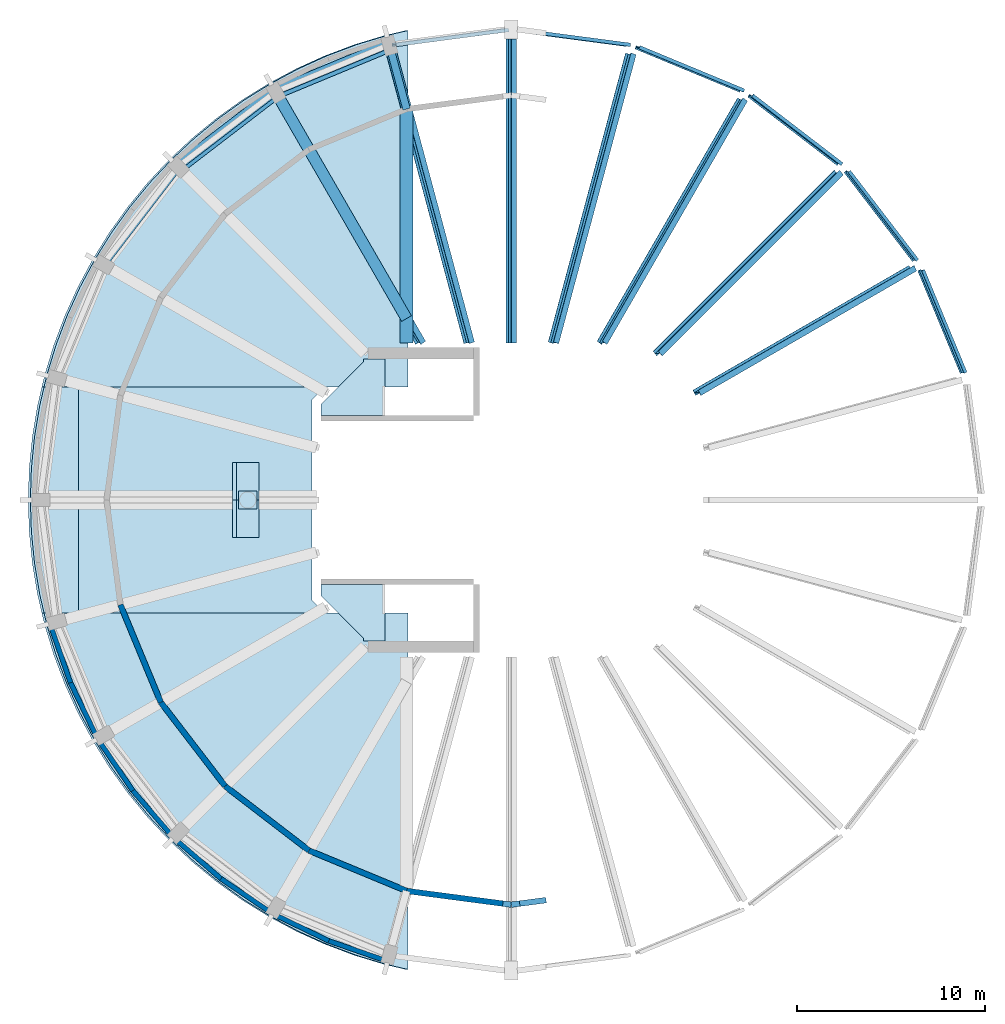
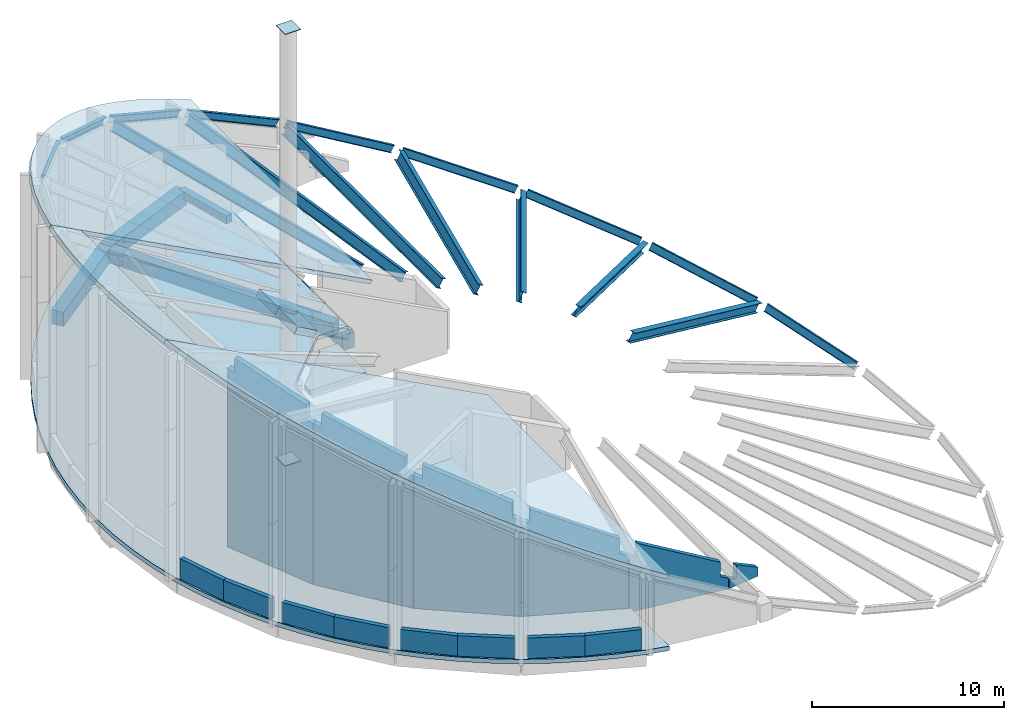
# One storey, part 2 of 4: 14 beams, 14 walls, 8 slabs, 7 members, 2 plates.
"""IFC4 building model written with IfcOpenShell, lengths in metres."""

from ifc_helpers import new_model, si_unit, direction, frame, frame_2d, origin, origin_2d, place, context, subcontext, project, spatial, polyline, rectangle, i_section, outline, extrude, material, layer, layer_set, material_profile, profile_set, type_object, element, save


model = new_model("IFC4")

# Units and contexts
model_context = context("Model", 3, precision=1e-05, world=origin(), true_north=direction((0.0, 1.0)))
body_context = subcontext(model_context, "Body", "Model", "MODEL_VIEW")
ifc_project = project(units=[si_unit("LENGTHUNIT", "METRE"), si_unit("AREAUNIT", "SQUARE_METRE"), si_unit("VOLUMEUNIT", "CUBIC_METRE"), si_unit("PLANEANGLEUNIT", "RADIAN"), si_unit("MASSUNIT", "GRAM", prefix="KILO")], contexts=[model_context])

# Site, building, storey
site_placement = place(None, origin())
site = spatial("IfcSite", under=ifc_project, at=site_placement, CompositionType="ELEMENT")
building_placement = place(site_placement, origin())
building = spatial("IfcBuilding", under=site, at=building_placement, Name="Torre Triforio", CompositionType="ELEMENT")
storey_placement = place(building_placement, frame((0.0, 0.0, 302.800048828125)))
storey = spatial("IfcBuildingStorey", under=building, at=storey_placement, Name="RF-3", CompositionType="ELEMENT", Elevation=302.800048828125)

# Members
ifc_material_1 = material(Name="Steel ASTM A572 Gr 50", Category="steel")
ifc_material_profile_1 = material_profile(ifc_material_1, i_section(OverallWidth=0.324951171875, OverallDepth=0.615966796875, WebThickness=0.013916015625, FlangeThickness=0.021484375, at=origin_2d()), Name="W 610x174")
ifc_profile_set_1 = profile_set([ifc_material_profile_1], Name="Steel ASTM A572 Gr 50")
member_type = type_object("IfcMemberType", Name="Crown rafter W 610x174", PredefinedType="RAFTER", material=ifc_profile_set_1)
member_1_placement = place(storey_placement, frame((9.860595703125, 5.693115234375, -4.289794921875), z_axis=(0.786638993376, 0.454147797785, -0.418268898997), x_axis=(-0.400985257284, 0.890926359329, 0.213215960221)))
element("IfcMember", 1, at=member_1_placement, inside=storey, type_object=member_type, Name="RF.02", PredefinedType="RAFTER", context=body_context, shape_type="SweptSolid", body=[
    extrude(i_section(OverallWidth=0.324951171875, OverallDepth=0.615966796875, WebThickness=0.013916015625, FlangeThickness=0.021484375, at=origin_2d()), origin(), (0.0, 0.0, 1.0), 14.575439453125),
])
member_2_placement = place(storey_placement, frame((7.77685546875, 7.77685546875, -3.181884765625), z_axis=(0.661873856051, 0.661873856051, -0.35191760023), x_axis=(-0.584399929054, 0.749615233743, 0.310730951567)))
element("IfcMember", 2, at=member_2_placement, inside=storey, type_object=member_type, Name="RF.03", PredefinedType="RAFTER", context=body_context, shape_type="SweptSolid", body=[
    extrude(i_section(OverallWidth=0.324951171875, OverallDepth=0.615966796875, WebThickness=0.013916015625, FlangeThickness=0.021484375, at=origin_2d()), origin(), (0.0, 0.0, 1.0), 14.533935546875),
])
member_3_placement = place(storey_placement, frame((4.82080078125, 8.35009765625, -1.610107421875), z_axis=(0.483218399046, 0.83694855289, -0.256937927598), x_axis=(-0.73898106579, 0.547281572685, 0.392924756924)))
element("IfcMember", 3, at=member_3_placement, inside=storey, type_object=member_type, Name="RF.04", PredefinedType="RAFTER", context=body_context, shape_type="SweptSolid", body=[
    extrude(i_section(OverallWidth=0.324951171875, OverallDepth=0.615966796875, WebThickness=0.013916015625, FlangeThickness=0.021484375, at=origin_2d()), origin(), (0.0, 0.0, 1.0), 15.44921875),
])
member_4_placement = place(storey_placement, frame((2.2373046875, 8.35009765625, -0.236572265625), z_axis=(0.256411606101, 0.956905773636, -0.136324717636), x_axis=(-0.844897058708, 0.290398588625, 0.449241160081)))
element("IfcMember", 4, at=member_4_placement, inside=storey, type_object=member_type, Name="RF.05", PredefinedType="RAFTER", context=body_context, shape_type="SweptSolid", body=[
    extrude(i_section(OverallWidth=0.324951171875, OverallDepth=0.615966796875, WebThickness=0.013916015625, FlangeThickness=0.021484375, at=origin_2d()), origin(), (0.0, 0.0, 1.0), 16.042724609375),
])
member_5_placement = place(storey_placement, frame((0.0, 8.35009765625, 0.953125), z_axis=(0.0, 1.0, 0.0), x_axis=(-0.882947592859, 0.0, 0.469471562786)))
element("IfcMember", 5, at=member_5_placement, inside=storey, type_object=member_type, Name="RF.06", PredefinedType="RAFTER", context=body_context, shape_type="SweptSolid", body=[
    extrude(i_section(OverallWidth=0.324951171875, OverallDepth=0.615966796875, WebThickness=0.013916015625, FlangeThickness=0.021484375, at=origin_2d()), origin(), (0.0, 0.0, 1.0), 16.14990234375),
])
member_6_placement = place(storey_placement, frame((-2.2373046875, 8.35009765625, 2.142822265625), z_axis=(-0.256411606101, 0.956905773636, 0.136324717636), x_axis=(-0.844897058708, -0.290398588625, 0.449241160081)))
element("IfcMember", 6, at=member_6_placement, inside=storey, type_object=member_type, Name="RF.07", PredefinedType="RAFTER", context=body_context, shape_type="SweptSolid", body=[
    extrude(i_section(OverallWidth=0.324951171875, OverallDepth=0.615966796875, WebThickness=0.013916015625, FlangeThickness=0.021484375, at=origin_2d()), origin(), (0.0, 0.0, 1.0), 16.042724609375),
])
member_7_placement = place(storey_placement, frame((-4.82080078125, 8.35009765625, 3.516357421875), z_axis=(-0.483218399046, 0.83694855289, 0.256937927598), x_axis=(-0.73898106579, -0.547281572685, 0.392924756924)))
element("IfcMember", 7, at=member_7_placement, inside=storey, type_object=member_type, Name="RF.08", PredefinedType="RAFTER", context=body_context, shape_type="SweptSolid", body=[
    extrude(i_section(OverallWidth=0.324951171875, OverallDepth=0.615966796875, WebThickness=0.013916015625, FlangeThickness=0.021484375, at=origin_2d()), origin(), (0.0, 0.0, 1.0), 15.44921875),
])

# Beams
ifc_material_profile_2 = material_profile(ifc_material_1, i_section(OverallWidth=0.18994140625, OverallDepth=0.45703125, WebThickness=0.009033203125, FlangeThickness=0.014404296875, at=origin_2d()), Name="W 460x74")
ifc_profile_set_2 = profile_set([ifc_material_profile_2], Name="Steel ASTM A572 Gr 50")
beam_type_1 = type_object("IfcBeamType", Name="Crown ring beam W 460x74", PredefinedType="BEAM", material=ifc_profile_set_2)
beam_1_placement = place(storey_placement, frame((24.02880859375, 6.7587890625, -11.733154296875), z_axis=(-0.375018265646, 0.90532133195, 0.19938552191), x_axis=(-0.799349366419, -0.424727307483, 0.425026239994)))
element("IfcBeam", 8, at=beam_1_placement, inside=storey, type_object=beam_type_1, Name="RB.01", PredefinedType="BEAM", context=body_context, shape_type="SweptSolid", body=[
    extrude(i_section(OverallWidth=0.18994140625, OverallDepth=0.45703125, WebThickness=0.009033203125, FlangeThickness=0.014404296875, at=origin_2d()), origin(), (0.0, 0.0, 1.0), 6.023193359375),
])
beam_2_placement = place(storey_placement, frame((21.4755859375, 12.728271484375, -10.37548828125), z_axis=(-0.579186294035, 0.754788365392, 0.30795740009), x_axis=(-0.666436523283, -0.655968386017, 0.354355523423)))
element("IfcBeam", 9, at=beam_2_placement, inside=storey, type_object=beam_type_1, Name="RB.02", PredefinedType="BEAM", context=body_context, shape_type="SweptSolid", body=[
    extrude(i_section(OverallWidth=0.18994140625, OverallDepth=0.45703125, WebThickness=0.009033203125, FlangeThickness=0.014404296875, at=origin_2d()), origin(), (0.0, 0.0, 1.0), 6.2548828125),
])
beam_3_placement = place(storey_placement, frame((17.465087890625, 17.8408203125, -8.2431640625), z_axis=(-0.730977662444, 0.560906880917, 0.388658111903), x_axis=(-0.495252660115, -0.827878898713, 0.263327423022)))
element("IfcBeam", 10, at=beam_3_placement, inside=storey, type_object=beam_type_1, Name="RB.03", PredefinedType="BEAM", context=body_context, shape_type="SweptSolid", body=[
    extrude(i_section(OverallWidth=0.18994140625, OverallDepth=0.45703125, WebThickness=0.009033203125, FlangeThickness=0.014404296875, at=origin_2d()), origin(), (0.0, 0.0, 1.0), 6.50146484375),
])
beam_4_placement = place(storey_placement, frame((12.265380859375, 21.747802734375, -5.478515625), z_axis=(-0.829222449876, 0.343485602289, 0.440916964566), x_axis=(-0.303281993219, -0.939157942498, 0.161252570931)))
element("IfcBeam", 11, at=beam_4_placement, inside=storey, type_object=beam_type_1, Name="RB.04", PredefinedType="BEAM", context=body_context, shape_type="SweptSolid", body=[
    extrude(i_section(OverallWidth=0.18994140625, OverallDepth=0.45703125, WebThickness=0.009033203125, FlangeThickness=0.014404296875, at=origin_2d()), origin(), (0.0, 0.0, 1.0), 6.705322265625),
])
for number, where, z_axis, x_axis, name in (
    (12, (6.225830078125, 24.180419921875, -2.26708984375), (-0.877048464587, 0.115452928621, 0.466322433557), (-0.101935779668, -0.993312952302, 0.054207708051), "RB.05"),
    (13, (-0.24462890625, 24.9677734375, 1.17333984375), (-0.877048464587, -0.115452928621, 0.466322433557), (0.101935779668, -0.993312952302, -0.054207708051), "RB.06"),
):
    element("IfcBeam", number, at=place(storey_placement, frame(where, z_axis=z_axis, x_axis=x_axis)), inside=storey, type_object=beam_type_1, Name=name, PredefinedType="BEAM", context=body_context, shape_type="SweptSolid", body=[
        extrude(i_section(OverallWidth=0.18994140625, OverallDepth=0.45703125, WebThickness=0.009033203125, FlangeThickness=0.014404296875, at=origin_2d()), origin(), (0.0, 0.0, 1.0), 6.819580078125),
    ])
beam_5_placement = place(storey_placement, frame((-6.705078125, 24.051025390625, 4.6083984375), z_axis=(-0.829222449876, -0.343485602289, 0.440916964566), x_axis=(0.303281993219, -0.939157942498, -0.161252570931)))
element("IfcBeam", 14, at=beam_5_placement, inside=storey, type_object=beam_type_1, Name="RB.07", PredefinedType="BEAM", context=body_context, shape_type="SweptSolid", body=[
    extrude(i_section(OverallWidth=0.18994140625, OverallDepth=0.45703125, WebThickness=0.009033203125, FlangeThickness=0.014404296875, at=origin_2d()), origin(), (0.0, 0.0, 1.0), 6.705322265625),
])
beam_6_placement = place(storey_placement, frame((-12.712646484375, 21.487548828125, 7.802490234375), z_axis=(-0.730966993764, -0.560898694434, 0.388689990365), x_axis=(0.495245432116, -0.82788444503, -0.263323579737)))
element("IfcBeam", 15, at=beam_6_placement, inside=storey, type_object=beam_type_1, Name="RB.08", PredefinedType="BEAM", context=body_context, shape_type="SweptSolid", body=[
    extrude(i_section(OverallWidth=0.18994140625, OverallDepth=0.45703125, WebThickness=0.009033203125, FlangeThickness=0.014404296875, at=origin_2d()), origin(), (0.0, 0.0, 1.0), 6.50146484375),
])
beam_7_placement = place(storey_placement, frame((-17.852783203125, 17.449462890625, 10.53564453125), z_axis=(-0.579186294035, -0.754788365392, 0.30795740009), x_axis=(0.666436523283, -0.655968386017, -0.354355523423)))
element("IfcBeam", 16, at=beam_7_placement, inside=storey, type_object=beam_type_1, Name="RB.09", PredefinedType="BEAM", context=body_context, shape_type="SweptSolid", body=[
    extrude(i_section(OverallWidth=0.18994140625, OverallDepth=0.45703125, WebThickness=0.009033203125, FlangeThickness=0.014404296875, at=origin_2d()), origin(), (0.0, 0.0, 1.0), 6.2548828125),
])
ifc_material_2 = material(Name="Concrete C40", Category="concrete")
ifc_material_profile_3 = material_profile(ifc_material_2, rectangle(XDim=0.699951171875, YDim=1.0, at=origin_2d()), Name="RC 700x1000")
ifc_profile_set_3 = profile_set([ifc_material_profile_3], Name="Concrete C40")
beam_type_2 = type_object("IfcBeamType", Name="Edge beam RC 700x1000 C40", PredefinedType="BEAM", material=ifc_profile_set_3)
beam_8_placement = place(storey_placement, frame((-5.564697265625, 8.35009765625, -0.780029296875), z_axis=(0.0, 1.0, 0.0), x_axis=(-1.0, 0.0, 0.0)))
element("IfcBeam", 17, at=beam_8_placement, inside=storey, type_object=beam_type_2, Name="BM.E.RF-3.2", PredefinedType="BEAM", context=body_context, shape_type="SweptSolid", body=[
    extrude(rectangle(XDim=0.699951171875, YDim=1.0, at=origin_2d()), origin(), (0.0, 0.0, 1.0), 12.417236328125),
])
ifc_material_profile_4 = material_profile(ifc_material_2, rectangle(XDim=0.39990234375, YDim=0.5, at=origin_2d()), Name="RC 400x500")
ifc_profile_set_4 = profile_set([ifc_material_profile_4], Name="Concrete C40")
beam_type_3 = type_object("IfcBeamType", Name="Radial beam RC 400x500 C40", PredefinedType="BEAM", material=ifc_profile_set_4)
beam_9_placement = place(storey_placement, frame((-5.564697265625, 20.767333984375, -0.530029296875), z_axis=(-0.258782572899, 0.965935598249, 0.0), x_axis=(-0.965935598249, -0.258782572899, 0.0)))
element("IfcBeam", 18, at=beam_9_placement, inside=storey, type_object=beam_type_3, Name="BM.R.RF-3.07", PredefinedType="BEAM", context=body_context, shape_type="SweptSolid", body=[
    extrude(rectangle(XDim=0.39990234375, YDim=0.5, at=origin_2d()), origin(), (0.0, 0.0, 1.0), 3.5),
])
ifc_material_profile_5 = material_profile(ifc_material_2, rectangle(XDim=0.60009765625, YDim=0.85009765625, at=origin_2d()), Name="RC 600x850")
ifc_profile_set_5 = profile_set([ifc_material_profile_5], Name="Concrete C40")
beam_type_4 = type_object("IfcBeamType", Name="Radial beam RC 600x850 C40", PredefinedType="BEAM", material=ifc_profile_set_5)
beam_10_placement = place(storey_placement, frame((-5.564697265625, 9.63818359375, -0.705078125), z_axis=(-0.499995177791, 0.86602818787, 0.0), x_axis=(-0.86602818787, -0.499995177791, 0.0)))
element("IfcBeam", 19, at=beam_10_placement, inside=storey, type_object=beam_type_4, Name="BM.R.RF-3.08", PredefinedType="BEAM", context=body_context, shape_type="SweptSolid", body=[
    extrude(rectangle(XDim=0.60009765625, YDim=0.85009765625, at=origin_2d()), origin(), (0.0, 0.0, 1.0), 13.870849609375),
])
ifc_material_profile_6 = material_profile(ifc_material_2, rectangle(XDim=0.699951171875, YDim=0.89990234375, at=origin_2d()), Name="RC 700x900")
ifc_profile_set_6 = profile_set([ifc_material_profile_6], Name="Concrete C40")
beam_type_5 = type_object("IfcBeamType", Name="Spandrel beam RC 700x900 C40", PredefinedType="SPANDREL", material=ifc_profile_set_6)
for number, where, z_axis, x_axis, name in (
    (20, (-6.470458984375, 24.148193359375, -0.72998046875), (-0.923877315173, -0.382688785449, 0.0), (0.382688785449, -0.923877315173, 0.0), "BM.S.RF-3.07"),
    (21, (-12.5, 21.650634765625, -0.72998046875), (-0.793361845441, -0.608750344722, 0.0), (0.608750344722, -0.793361845441, 0.0), "BM.S.RF-3.08"),
):
    element("IfcBeam", number, at=place(storey_placement, frame(where, z_axis=z_axis, x_axis=x_axis)), inside=storey, type_object=beam_type_5, Name=name, PredefinedType="SPANDREL", context=body_context, shape_type="SweptSolid", body=[
        extrude(rectangle(XDim=0.699951171875, YDim=0.89990234375, at=origin_2d()), origin(), (0.0, 0.0, 1.0), 6.5263671875),
    ])

# Slabs
ifc_layer_1 = layer(ifc_material_2, 0.280029296875)
ifc_layer_set_1 = layer_set([ifc_layer_1], Name="Concrete C40")
slab_type_1 = type_object("IfcSlabType", Name="Core floor slab 280 mm C40 REI 120", PredefinedType="FLOOR", material=ifc_layer_set_1)
slab_1_placement = place(storey_placement, frame((0.0, 0.0, -0.280029296875)))
element("IfcSlab", 22, at=slab_1_placement, inside=storey, type_object=slab_type_1, Name="Core floor slab", PredefinedType="FLOOR", context=body_context, shape_type="SweptSolid", body=[
    extrude(outline(polyline([(-7.85009765625, 4.5), (-10.10009765625, 4.5), (-10.10009765625, 5.10009765625), (-7.85009765625, 7.35009765625), (-7.85009765625, 7.5), (-7.5, 7.5), (-7.449951171875, 7.5), (-6.699951171875, 7.5), (-6.699951171875, 4.5), (-7.449951171875, 4.5), (-7.5, 4.5), (-7.800048828125, 4.5), (-7.85009765625, 4.5)])), origin(), (0.0, 0.0, 1.0), 0.280029296875),
])
slab_2_placement = place(storey_placement, frame((0.0, 0.0, -0.280029296875)))
element("IfcSlab", 23, at=slab_2_placement, inside=storey, type_object=slab_type_1, Name="Core floor slab", PredefinedType="FLOOR", context=body_context, shape_type="SweptSolid", body=[
    extrude(outline(polyline([(-7.449951171875, -4.5), (-6.699951171875, -4.5), (-6.699951171875, -7.5), (-7.449951171875, -7.5), (-7.5, -7.5), (-7.85009765625, -7.5), (-7.85009765625, -7.35009765625), (-10.10009765625, -5.10009765625), (-10.10009765625, -4.5), (-7.85009765625, -4.5), (-7.800048828125, -4.5), (-7.5, -4.5), (-7.449951171875, -4.5)])), origin(), (0.0, 0.0, 1.0), 0.280029296875),
])
ifc_layer_2 = layer(ifc_material_2, 0.25)
ifc_layer_set_2 = layer_set([ifc_layer_2], Name="Concrete C40")
slab_type_2 = type_object("IfcSlabType", Name="Crown roof slab 250 C40", PredefinedType="ROOF", material=ifc_layer_set_2)
slab_3_placement = place(storey_placement, frame((-24.194091796875, 8.212890625, 14.44921875), z_axis=(0.469468315874, 4.815028e-06, 0.882949319252), x_axis=(-0.286920080414, -0.9457281475, 0.152561916876)))
element("IfcSlab", 24, at=slab_3_placement, inside=storey, type_object=slab_type_2, Name="SL.ROOF.N.RF-3", PredefinedType="ROOF", context=body_context, shape_type="SweptSolid", body=[
    extrude(outline(polyline([(0.0, 0.0), (1.691921363924509, -2.7755575615628914e-17), (2.324019179700014, 0.04616052506474547), (-4.793972868866399, 20.761660034668473), (-22.709010147359592, 14.605926602762098), (-22.043443689097565, 13.480328609797425), (-20.995565885714566, 11.924267182666517), (-19.862778263679793, 10.439642550658139), (-18.649538807410096, 9.03266711370606), (-17.361600052322874, 7.709564323291399), (-16.00412895466004, 6.475604715808131), (-14.582894349681021, 5.336307886186734), (-13.104056805119518, 4.296830893100277), (-11.574082069891741, 3.3609650680636607), (-9.999254306982904, 2.53347587364311), (-8.386748237134269, 1.8172127778137284), (-6.742955116138573, 1.2157503210654401), (-5.075173259988594, 0.7315463752665058), (-3.3907917776426078, 0.36657174675952325), (-1.6964861593561418, 0.12222299681312121), (0.0, 0.0)])), origin(), (0.0, 0.0, -1.0), 0.25),
])
slab_4_placement = place(storey_placement, frame((-6.61279296875, -24.679443359375, 5.101318359375), z_axis=(0.469468315874, -4.815028e-06, 0.882949319252), x_axis=(0.864813204774, -0.201637896807, -0.459826357901)))
element("IfcSlab", 25, at=slab_4_placement, inside=storey, type_object=slab_type_2, Name="SL.ROOF.S.RF-3", PredefinedType="ROOF", context=body_context, shape_type="SweptSolid", body=[
    extrude(outline(polyline([(0.0, 0.0), (1.3076503936945678, 4.163336342344337e-17), (-2.5119995211328923, 18.554026228898383), (-23.966374149283766, 14.137292135611462), (-23.68438370907753, 13.569700879147176), (-22.823231435293163, 12.113330506247413), (-21.85454878847246, 10.715239779725934), (-20.781852707881434, 9.381185448582668), (-19.61037558044407, 8.117069632126368), (-18.34471722045061, 6.9279276319392595), (-16.990334957151468, 5.819116738968258), (-15.553059163867546, 4.795668185407381), (-14.039219744312378, 3.8612640643162464), (-12.454921242135448, 3.020629905536871), (-10.80746417378009, 2.2767494646818034), (-9.103402967548654, 1.6332586148693906), (-7.350312310213058, 1.0928354093601804), (-5.555879568577236, 0.6576361830235236), (-3.727271381368185, 0.3294259514521714), (-1.8727726840491548, 0.10998877082130284), (0.0, 0.0)])), origin(), (0.0, 0.0, -1.0), 0.25),
])
slab_5_placement = place(storey_placement, frame((-25.331298828125, -3.3349609375, 15.05419921875), z_axis=(0.46947148131, 0.0, 0.88294763618), x_axis=(0.16227228749, -0.982966517883, -0.086281686548)))
element("IfcSlab", 26, at=slab_5_placement, inside=storey, type_object=slab_type_2, Name="SL.ROOF.W.RF-3", PredefinedType="ROOF", context=body_context, shape_type="SweptSolid", body=[
    extrude(outline(polyline([(0.0, 0.0), (1.678244551683804, -2.7755575615628914e-17), (2.725607084719241, 0.07694569161064965), (3.104916744809894, 2.105670865106458), (-8.690681469787927, 4.311087551308114), (-9.06999112987858, 2.282362377812306), (-8.121182887583927, 1.832193704515756), (-6.556309880021413, 1.22582974989887), (-4.9549540299800094, 0.7375455569146764), (-3.3236788785818785, 0.3694315949455954), (-1.6695996281684014, 0.1232846024448546), (0.0, 0.0)])), origin(), (0.0, 0.0, -1.0), 0.25),
])
ifc_layer_3 = layer(ifc_material_2, 0.280029296875)
ifc_layer_set_3 = layer_set([ifc_layer_3], Name="Concrete C40")
slab_type_3 = type_object("IfcSlabType", Name="Floor slab 280 C40", PredefinedType="FLOOR", material=ifc_layer_set_3)
slab_6_placement = place(storey_placement, frame((0.0, 0.0, -0.280029296875)))
element("IfcSlab", 27, at=slab_6_placement, inside=storey, type_object=slab_type_3, Name="SL.RF-3", PredefinedType="FLOOR", context=body_context, shape_type="SweptSolid", body=[
    extrude(outline(polyline([(-5.48193359375, 8.60009765625), (-5.48193359375, 24.943115234375), (-6.61279296875, 24.679443359375), (-8.212890625, 24.194091796875), (-9.777587890625, 23.605224609375), (-11.300537109375, 22.9150390625), (-12.77490234375, 22.126953125), (-14.19482421875, 21.244140625), (-15.553955078125, 20.270263671875), (-16.84619140625, 19.20947265625), (-18.066650390625, 18.066650390625), (-19.20947265625, 16.84619140625), (-20.270263671875, 15.553955078125), (-21.244140625, 14.19482421875), (-22.126953125, 12.77490234375), (-22.9150390625, 11.300537109375), (-23.605224609375, 9.777587890625), (-24.194091796875, 8.212890625), (-24.679443359375, 6.61279296875), (-25.05908203125, 4.984619140625), (-25.331298828125, 3.3349609375), (-25.495361328125, 1.671142578125), (-25.550048828125, 0.0), (-25.495361328125, -1.671142578125), (-25.331298828125, -3.3349609375), (-25.05908203125, -4.984619140625), (-24.679443359375, -6.61279296875), (-24.194091796875, -8.212890625), (-23.605224609375, -9.777587890625), (-22.9150390625, -11.300537109375), (-22.126953125, -12.77490234375), (-21.244140625, -14.19482421875), (-20.270263671875, -15.553955078125), (-19.20947265625, -16.84619140625), (-18.066650390625, -18.066650390625), (-16.84619140625, -19.20947265625), (-15.553955078125, -20.270263671875), (-14.19482421875, -21.244140625), (-12.77490234375, -22.126953125), (-11.300537109375, -22.9150390625), (-9.777587890625, -23.605224609375), (-8.212890625, -24.194091796875), (-6.61279296875, -24.679443359375), (-5.48193359375, -24.943115234375), (-5.48193359375, -8.60009765625), (-7.30712890625, -8.60009765625), (-10.60009765625, -5.30712890625), (-10.60009765625, 5.30712890625), (-7.30712890625, 8.60009765625), (-5.48193359375, 8.60009765625)])), origin(), (0.0, 0.0, 1.0), 0.280029296875),
])

# Plates
ifc_layer_4 = layer(ifc_material_1, 0.050048828125)
ifc_layer_set_4 = layer_set([ifc_layer_4], Name="Steel ASTM A572 Gr 50")
plate_type_1 = type_object("IfcPlateType", Name="Mast base plate 50", PredefinedType="SHEET", material=ifc_layer_set_4)
plate_1_placement = place(storey_placement, frame((-14.0, 0.0, -0.2802734375), z_axis=(0.0, 0.0, 1.0), x_axis=(1.0, 0.0, 0.0)))
element("IfcPlate", 28, at=plate_1_placement, inside=storey, type_object=plate_type_1, Name="Mast base plate", PredefinedType="SHEET", context=body_context, shape_type="SweptSolid", body=[
    extrude(rectangle(XDim=0.9599609375, YDim=0.9599609375, at=origin_2d()), origin(), (0.0, 0.0, 1.0), 0.050048828125),
])
ifc_layer_5 = layer(ifc_material_1, 0.030029296875)
ifc_layer_set_5 = layer_set([ifc_layer_5], Name="Steel ASTM A572 Gr 50")
plate_type_2 = type_object("IfcPlateType", Name="Mast cap plate 30", PredefinedType="SHEET", material=ifc_layer_set_5)
plate_2_placement = place(storey_placement, frame((-14.0, 0.0, 27.169921875), z_axis=(0.0, 0.0, 1.0), x_axis=(1.0, 0.0, 0.0)))
element("IfcPlate", 29, at=plate_2_placement, inside=storey, type_object=plate_type_2, Name="Mast cap plate", PredefinedType="SHEET", context=body_context, shape_type="SweptSolid", body=[
    extrude(rectangle(XDim=0.9599609375, YDim=0.9599609375, at=origin_2d()), origin(), (0.0, 0.0, 1.0), 0.030029296875),
])

# Slabs
ifc_layer_6 = layer(ifc_material_2, 0.449951171875)
ifc_layer_set_6 = layer_set([ifc_layer_6], Name="Concrete C40")
slab_type_4 = type_object("IfcSlabType", Name="Mast roof panel 450 C40", PredefinedType="ROOF", material=ifc_layer_set_6)
slab_7_placement = place(storey_placement, frame((-14.60009765625, 2.0, 9.57470703125), z_axis=(0.469493670017, -3.7561744e-05, 0.882935837082), x_axis=(-1.7635001e-05, -0.999999999295, -3.316461e-05)))
element("IfcSlab", 30, at=slab_7_placement, inside=storey, type_object=slab_type_4, Name="SL.ROOF.MP.RF-3", PredefinedType="ROOF", context=body_context, shape_type="SweptSolid", body=[
    extrude(outline(polyline([(0.0, 0.0), (1.9999999985891155, 0.0), (1.9999999968106525, 0.15869158698696126), (1.9101562538154773, 0.16874421481028318), (1.823974614090544, 0.19834267033865977), (1.7443847661618088, 0.2463954665868581), (1.6748046884157253, 0.3113799955551409), (1.617431645254393, 0.3902373567950612), (1.5749511737187283, 0.48033977087267615), (1.5488281292526078, 0.5779816558177826), (1.540039061245757, 0.6796593057184566), (1.5488281263233346, 0.7814515780972431), (1.5749511755703578, 0.8790934630423495), (1.6174316414747578, 0.9691958771199645), (1.6748046919824788, 1.0480532383598846), (1.7443847622913973, 1.1129231448500552), (1.823974609847199, 1.1610905635763658), (1.910156251250673, 1.1906890191047426), (2.00000000003191, 1.200627024449952), (1.999999998253447, 1.3593186114369131), (-3.356683948605257e-10, 1.3593186114369131), (0.0, 0.0)])), origin(), (0.0, 0.0, -1.0), 0.449951171875),
])
slab_8_placement = place(storey_placement, frame((-13.39990234375, -2.0, 8.9365234375), z_axis=(0.469493670017, 3.7561744e-05, 0.882935837082), x_axis=(-1.7635001e-05, 0.999999999295, -3.316461e-05)))
element("IfcSlab", 31, at=slab_8_placement, inside=storey, type_object=slab_type_4, Name="SL.ROOF.MM.RF-3", PredefinedType="ROOF", context=body_context, shape_type="SweptSolid", body=[
    extrude(outline(polyline([(0.0, 0.0), (1.9999999985891155, 0.0), (2.0000000003675784, 0.15869158698696126), (1.9101562515863413, 0.16862959233217084), (1.8239746101828673, 0.19822804786054743), (1.7443847626270657, 0.2463954665868581), (1.6748046923181474, 0.31126537307702856), (1.6174316418104262, 0.3901227343169489), (1.5749511759060264, 0.4802251483945638), (1.548828126659003, 0.5778670333396703), (1.5400390615814255, 0.6796593057184566), (1.5488281295882762, 0.7813369556191307), (1.5749511740543967, 0.8789788405642371), (1.6174316455900615, 0.9690812546418521), (1.6748046887513937, 1.0479386158817723), (1.7443847664974772, 1.1129231448500552), (1.8239746144262123, 1.1609759410982534), (1.9101562541511456, 1.19057439662663), (1.9999999971463207, 1.200627024449952), (1.9999999989247839, 1.3593186114369131), (3.356683948605257e-10, 1.3593186114369131), (0.0, 0.0)])), origin(), (0.0, 0.0, -1.0), 0.449951171875),
])

# Walls
ifc_material_3 = material(Name="Limestone cladding", Category="masonry")
ifc_layer_7 = layer(ifc_material_3, 0.080078125)
ifc_layer_8 = layer(ifc_material_2, 0.169921875)
ifc_layer_set_7 = layer_set([ifc_layer_7, ifc_layer_8], Name="Limestone cladding / Concrete C40")
wall_type_1 = type_object("IfcWallType", Name="Crown deck parapet 250", PredefinedType="PARAPET", material=ifc_layer_set_7)
for number, where, z_axis, x_axis, name in (
    (32, (-24.4033203125, -6.8701171875, 0.0), (0.0, 0.0, 1.0), (0.328073116123, -0.944652333125, 0.0), "Crown deck parapet RF-3 bay 14.1"),
    (33, (-23.423828125, -9.693603515625, 0.0), (0.0, 0.0, 1.0), (0.435966497777, -0.899962895244, 0.0), "Crown deck parapet RF-3 bay 14.2"),
    (34, (-21.793701171875, -12.9521484375, 0.0), (0.0, 0.0, 1.0), (0.561338486845, -0.827586311623, 0.0), "Crown deck parapet RF-3 bay 15.1"),
):
    element("IfcWall", number, at=place(storey_placement, frame(where, z_axis=z_axis, x_axis=x_axis)), inside=storey, type_object=wall_type_1, Name=name, PredefinedType="PARAPET", context=body_context, shape_type="SweptSolid", body=[
        extrude(rectangle(XDim=3.0048828125, YDim=0.25, at=frame_2d((1.50244140625, 0.0))), origin(), (0.0, 0.0, 1.0), 1.300048828125),
    ])
for number, where, z_axis, x_axis, name in (
    (35, (-20.116943359375, -15.42578125, 0.0), (0.0, 0.0, 1.0), (0.654070280853, -0.756433782763, 0.0), "Crown deck parapet RF-3 bay 15.2"),
    (36, (-17.698974609375, -18.1513671875, 0.0), (0.0, 0.0, 1.0), (0.756433782763, -0.654070280853, 0.0), "Crown deck parapet RF-3 bay 16.1"),
):
    element("IfcWall", number, at=place(storey_placement, frame(where, z_axis=z_axis, x_axis=x_axis)), inside=storey, type_object=wall_type_1, Name=name, PredefinedType="PARAPET", context=body_context, shape_type="SweptSolid", body=[
        extrude(rectangle(XDim=3.005126953125, YDim=0.25, at=frame_2d((1.50244140625, 0.0))), origin(), (0.0, 0.0, 1.0), 1.300048828125),
    ])
for number, where, z_axis, x_axis, name in (
    (37, (-15.43896484375, -20.10693359375, 0.0), (0.0, 0.0, 1.0), (0.827586311623, -0.561338486845, 0.0), "Crown deck parapet RF-3 bay 16.2"),
    (38, (-12.39794921875, -22.11376953125, 0.0), (0.0, 0.0, 1.0), (0.899962895244, -0.435966497777, 0.0), "Crown deck parapet RF-3 bay 17.1"),
    (39, (-9.708740234375, -23.41748046875, 0.0), (0.0, 0.0, 1.0), (0.944652333125, -0.328073116123, 0.0), "Crown deck parapet RF-3 bay 17.2"),
):
    element("IfcWall", number, at=place(storey_placement, frame(where, z_axis=z_axis, x_axis=x_axis)), inside=storey, type_object=wall_type_1, Name=name, PredefinedType="PARAPET", context=body_context, shape_type="SweptSolid", body=[
        extrude(rectangle(XDim=3.0048828125, YDim=0.25, at=frame_2d((1.50244140625, 0.0))), origin(), (0.0, 0.0, 1.0), 1.300048828125),
    ])
ifc_layer_9 = layer(ifc_material_3, 0.10009765625)
ifc_layer_10 = layer(ifc_material_2, 0.199951171875)
ifc_layer_set_8 = layer_set([ifc_layer_9, ifc_layer_10], Name="Limestone cladding / Concrete C40")
wall_type_2 = type_object("IfcWallType", Name="Stone-faced composite wall 300", PredefinedType="STANDARD", material=ifc_layer_set_8)
wall_1_placement = place(storey_placement, frame((-20.767333984375, -5.564697265625, 0.0), z_axis=(0.0, 0.0, 1.0), x_axis=(0.382702670405, -0.92387156362, 0.0)))
element("IfcWall", 40, at=wall_1_placement, inside=storey, type_object=wall_type_2, Name="Crown wall RF-3 bay 14", PredefinedType="STANDARD", context=body_context, shape_type="SweptSolid", body=[
    extrude(outline(polyline([(0.0, 0.0), (5.612548828125, 0.0), (5.612548828125, 10.222412109375), (5.16259765625, 10.31396484375), (5.16064453125, 11.217529296875), (0.451904296875, 12.175537109375), (0.449951171875, 11.27294921875), (0.0, 11.364501953125), (0.0, 0.0)])), frame((0.0, 0.14990234375, 0.0), z_axis=(0.0, -1.0, 0.0), x_axis=(1.0, 0.0, 0.0)), (0.0, 0.0, 1.0), 0.300048828125),
])
wall_2_placement = place(storey_placement, frame((-18.619384765625, -10.75, 0.0), z_axis=(0.0, 0.0, 1.0), x_axis=(0.608726467567, -0.793380165925, 0.0)))
element("IfcWall", 41, at=wall_2_placement, inside=storey, type_object=wall_type_2, Name="Crown wall RF-3 bay 15", PredefinedType="STANDARD", context=body_context, shape_type="SweptSolid", body=[
    extrude(outline(polyline([(0.0, 0.0), (5.612548828125, 0.0), (5.612548828125, 8.416259765625), (5.16259765625, 8.561767578125), (5.16064453125, 9.46533203125), (0.451904296875, 10.989501953125), (0.449951171875, 10.087158203125), (0.0, 10.23291015625), (0.0, 0.0)])), frame((0.0, 0.14990234375, 0.0), z_axis=(0.0, -1.0, 0.0), x_axis=(1.0, 0.0, 0.0)), (0.0, 0.0, 1.0), 0.300048828125),
])
wall_3_placement = place(storey_placement, frame((-15.202880859375, -15.202880859375, 0.0), z_axis=(0.0, 0.0, 1.0), x_axis=(0.793380165925, -0.608726467567, 0.0)))
element("IfcWall", 42, at=wall_3_placement, inside=storey, type_object=wall_type_2, Name="Crown wall RF-3 bay 16", PredefinedType="STANDARD", context=body_context, shape_type="SweptSolid", body=[
    extrude(outline(polyline([(0.0, 0.0), (5.612548828125, 0.0), (5.612548828125, 6.063232421875), (5.16259765625, 6.253173828125), (5.16064453125, 7.156982421875), (0.451904296875, 9.143310546875), (0.449951171875, 8.240966796875), (0.0, 8.430908203125), (0.0, 0.0)])), frame((0.0, 0.14990234375, 0.0), z_axis=(0.0, -1.0, 0.0), x_axis=(1.0, 0.0, 0.0)), (0.0, 0.0, 1.0), 0.300048828125),
])
wall_4_placement = place(storey_placement, frame((-10.75, -18.619384765625, 0.0), z_axis=(0.0, 0.0, 1.0), x_axis=(0.92387156362, -0.382702670405, 0.0)))
element("IfcWall", 43, at=wall_4_placement, inside=storey, type_object=wall_type_2, Name="Crown wall RF-3 bay 17", PredefinedType="STANDARD", context=body_context, shape_type="SweptSolid", body=[
    extrude(outline(polyline([(0.0, 0.0), (5.612548828125, 0.0), (5.612548828125, 3.32421875), (5.16259765625, 3.545166015625), (5.16064453125, 4.44921875), (0.451904296875, 6.76220703125), (0.449951171875, 5.8603515625), (0.0, 6.081298828125), (0.0, 0.0)])), frame((0.0, 0.14990234375, 0.0), z_axis=(0.0, -1.0, 0.0), x_axis=(1.0, 0.0, 0.0)), (0.0, 0.0, 1.0), 0.300048828125),
])
wall_5_placement = place(storey_placement, frame((-5.564697265625, -20.767333984375, -0.280029296875), z_axis=(0.0, 0.0, 1.0), x_axis=(0.991443484334, -0.130536651449, 0.0)))
element("IfcWall", 44, at=wall_5_placement, inside=storey, type_object=wall_type_2, Name="Crown wall RF-3 bay 18 east", PredefinedType="STANDARD", context=body_context, shape_type="SweptSolid", body=[
    extrude(outline(polyline([(0.0, 0.0), (5.61279296875, 0.0), (5.612548828125, 0.66552734375), (5.16259765625, 0.90283203125), (5.16064453125, 1.806884765625), (0.451904296875, 4.2890625), (0.449951171875, 3.38720703125), (0.0, 3.624267578125), (0.0, 0.0)])), frame((0.0, 0.14990234375, 0.0), z_axis=(0.0, -1.0, 0.0), x_axis=(1.0, 0.0, 0.0)), (0.0, 0.0, 1.0), 0.300048828125),
])
wall_6_placement = place(storey_placement, frame((0.0, -21.5, -0.280029296875), z_axis=(0.0, 0.0, 1.0), x_axis=(0.991444032761, 0.130532486005, 0.0)))
element("IfcWall", 45, at=wall_6_placement, inside=storey, type_object=wall_type_2, Name="Crown wall RF-3 bay 19 east", PredefinedType="STANDARD", context=body_context, shape_type="SweptSolid", body=[
    extrude(outline(polyline([(0.0, 0.0), (1.86279296875, 0.0), (1.86279296875, 0.586669921875), (0.451904296875, 1.330322265625), (0.449951171875, 0.428466796875), (0.0, 0.66552734375), (0.0, 0.0)])), frame((0.0, 0.14990234375, 0.0), z_axis=(0.0, -1.0, 0.0), x_axis=(1.0, 0.0, 0.0)), (0.0, 0.0, 1.0), 0.300048828125),
])

save(model, "model.ifc")
